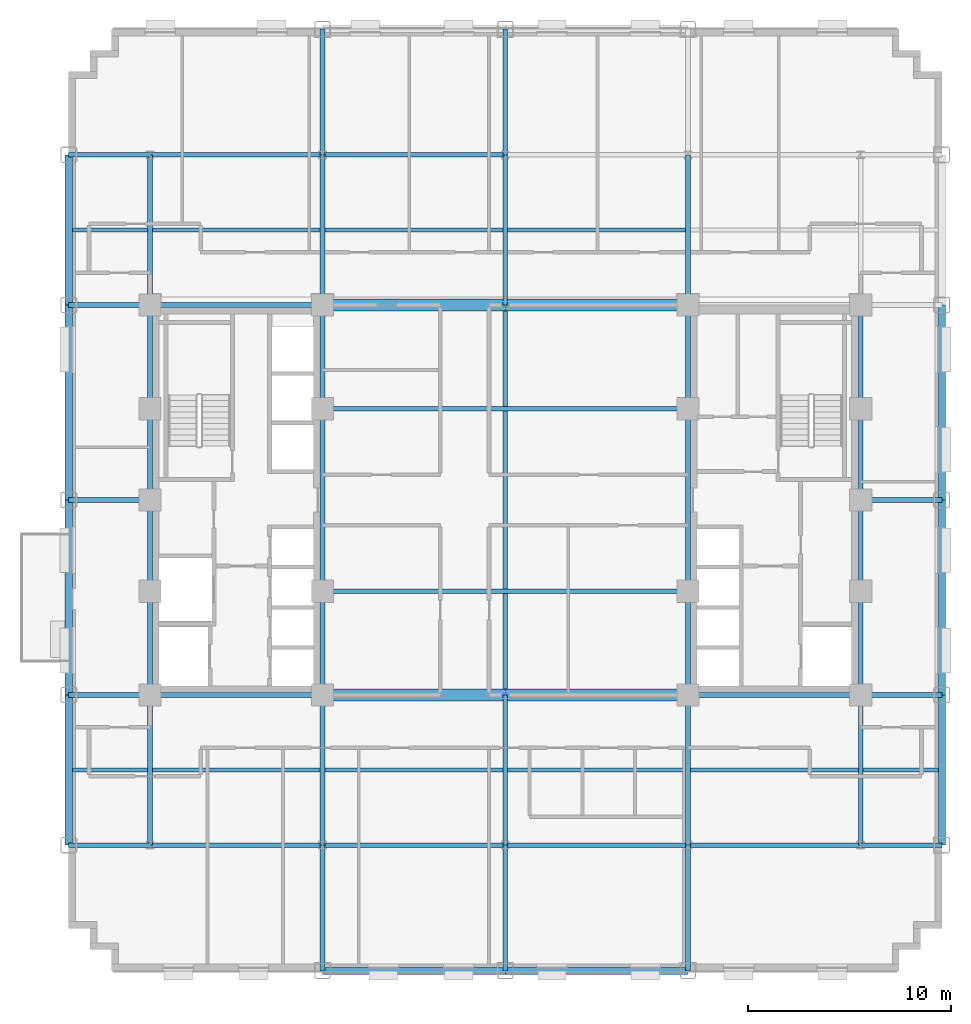
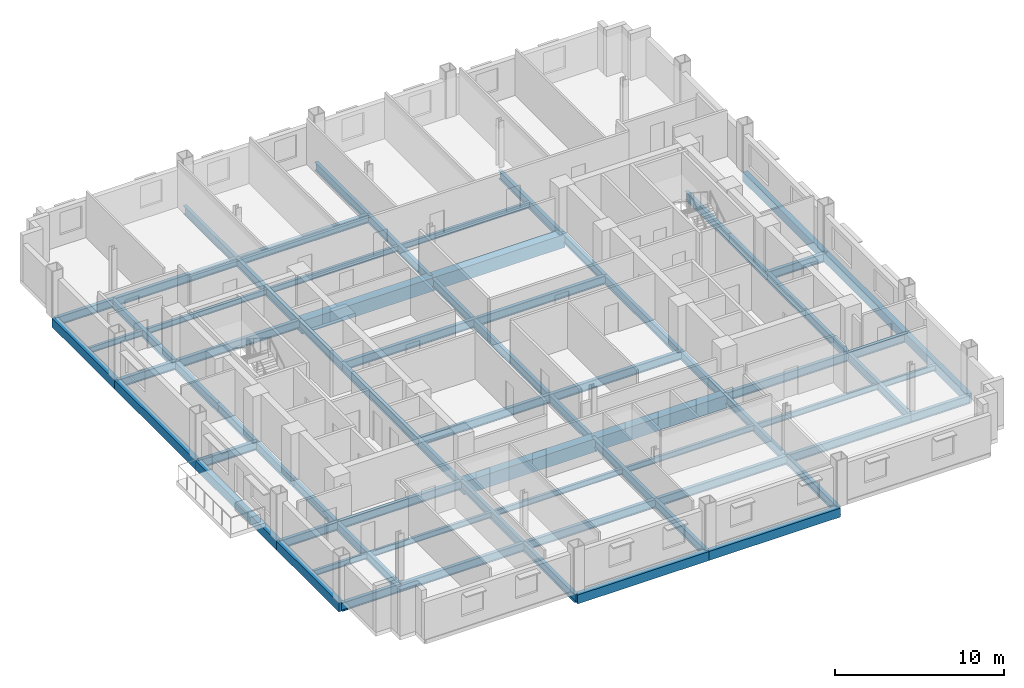
# One storey, part 4 of 14: 71 beams.
"""IFC4 building model written with IfcOpenShell, lengths in metres."""

from ifc_helpers import new_model, si_unit, direction, frame, origin, origin_2d, place, context, subcontext, project, spatial, rectangle, i_section, extrude, material, material_profile, profile_set, type_object, element, save


model = new_model("IFC4")

# Units and contexts
model_context = context("Model", 3, precision=1e-05, world=origin(), true_north=direction((0.0, 1.0)))
body_context = subcontext(model_context, "Body", "Model", "MODEL_VIEW")
ifc_project = project(units=[si_unit("LENGTHUNIT", "METRE"), si_unit("AREAUNIT", "SQUARE_METRE"), si_unit("VOLUMEUNIT", "CUBIC_METRE"), si_unit("PLANEANGLEUNIT", "RADIAN"), si_unit("MASSUNIT", "GRAM", prefix="KILO")], contexts=[model_context])

# Site, building, storey
site_placement = place(None, origin())
site = spatial("IfcSite", under=ifc_project, at=site_placement, CompositionType="ELEMENT")
building_placement = place(site_placement, origin())
building = spatial("IfcBuilding", under=site, at=building_placement, Name="Nuvemarco Arch Tower", CompositionType="ELEMENT")
storey_placement = place(building_placement, frame((0.0, 0.0, 67.75)))
storey = spatial("IfcBuildingStorey", under=building, at=storey_placement, Name="L17", CompositionType="ELEMENT", Elevation=67.75)

# Beams
ifc_material_1 = material(Name="Concrete C60/75", Category="concrete")
ifc_material_profile_1 = material_profile(ifc_material_1, rectangle(XDim=0.60009765625, YDim=0.949951171875, at=origin_2d()), Name="RC-BM-600x950")
ifc_profile_set_1 = profile_set([ifc_material_profile_1], Name="Concrete C60/75")
beam_type_1 = type_object("IfcBeamType", Name="BM-COUP-RC", PredefinedType="LINTEL", material=ifc_profile_set_1)
for number, where, z_axis, x_axis, name in (
    (1, (-9.0, -9.60009765625, -0.7548828125), (1.0, 0.0, 0.0), (0.0, 1.0, 0.0), "L17 structural beam BGEW_L17_0_-9.6_-9.0"),
    (2, (0.0, -9.60009765625, -0.7548828125), (1.0, 0.0, 0.0), (0.0, 1.0, 0.0), "L17 structural beam BGEW_L17_0_-9.6_+0.0"),
    (3, (-9.0, 9.60009765625, -0.7548828125), (1.0, 0.0, 0.0), (0.0, 1.0, 0.0), "L17 structural beam BGEW_L17_0_+9.6_-9.0"),
    (4, (0.0, 9.60009765625, -0.7548828125), (1.0, 0.0, 0.0), (0.0, 1.0, 0.0), "L17 structural beam BGEW_L17_0_+9.6_+0.0"),
):
    element("IfcBeam", number, at=place(storey_placement, frame(where, z_axis=z_axis, x_axis=x_axis)), inside=storey, type_object=beam_type_1, Name=name, PredefinedType="LINTEL", context=body_context, shape_type="SweptSolid", body=[
        extrude(rectangle(XDim=0.60009765625, YDim=0.949951171875, at=origin_2d()), origin(), (0.0, 0.0, 1.0), 9.0),
    ])
ifc_material_2 = material(Name="Steel S355", Category="steel")
ifc_material_profile_2 = material_profile(ifc_material_2, i_section(OverallWidth=0.22998046875, OverallDepth=0.616943359375, WebThickness=0.01318359375, FlangeThickness=0.022216796875, FilletRadius=0.01611328125, at=origin_2d()), Name="W610x140")
ifc_profile_set_2 = profile_set([ifc_material_profile_2], Name="Steel S355")
beam_type_2 = type_object("IfcBeamType", Name="BM-GIRD-610", PredefinedType="BEAM", material=ifc_profile_set_2)
beam_1_placement = place(storey_placement, frame((-17.5, -17.0, -0.58837890625), z_axis=(0.0, 1.0, 0.0), x_axis=(-1.0, 0.0, 0.0)))
element("IfcBeam", 5, at=beam_1_placement, inside=storey, type_object=beam_type_2, Name="L17 structural beam BGNS_L17_0_-17.5_-17.0", PredefinedType="BEAM", context=body_context, shape_type="SweptSolid", body=[
    extrude(i_section(OverallWidth=0.22998046875, OverallDepth=0.616943359375, WebThickness=0.01318359375, FlangeThickness=0.022216796875, FilletRadius=0.01611328125, at=origin_2d()), origin(), (0.0, 0.0, 1.0), 7.39990234375),
])
beam_2_placement = place(storey_placement, frame((-17.5, -9.60009765625, -0.58837890625), z_axis=(0.0, 1.0, 0.0), x_axis=(-1.0, 0.0, 0.0)))
element("IfcBeam", 6, at=beam_2_placement, inside=storey, type_object=beam_type_2, Name="L17 structural beam BGNS_L17_0_-17.5_-9.6", PredefinedType="BEAM", context=body_context, shape_type="SweptSolid", body=[
    extrude(i_section(OverallWidth=0.22998046875, OverallDepth=0.616943359375, WebThickness=0.01318359375, FlangeThickness=0.022216796875, FilletRadius=0.01611328125, at=origin_2d()), origin(), (0.0, 0.0, 1.0), 5.10009765625),
])
for number, where, z_axis, x_axis, name in (
    (7, (-17.5, -4.5, -0.58837890625), (0.0, 1.0, 0.0), (-1.0, 0.0, 0.0), "L17 structural beam BGNS_L17_0_-17.5_-4.5"),
    (8, (-17.5, 0.0, -0.58837890625), (0.0, 1.0, 0.0), (-1.0, 0.0, 0.0), "L17 structural beam BGNS_L17_0_-17.5_+0.0"),
):
    element("IfcBeam", number, at=place(storey_placement, frame(where, z_axis=z_axis, x_axis=x_axis)), inside=storey, type_object=beam_type_2, Name=name, PredefinedType="BEAM", context=body_context, shape_type="SweptSolid", body=[
        extrude(i_section(OverallWidth=0.22998046875, OverallDepth=0.616943359375, WebThickness=0.01318359375, FlangeThickness=0.022216796875, FilletRadius=0.01611328125, at=origin_2d()), origin(), (0.0, 0.0, 1.0), 4.5),
    ])
beam_3_placement = place(storey_placement, frame((-17.5, 4.5, -0.58837890625), z_axis=(0.0, 1.0, 0.0), x_axis=(-1.0, 0.0, 0.0)))
element("IfcBeam", 9, at=beam_3_placement, inside=storey, type_object=beam_type_2, Name="L17 structural beam BGNS_L17_0_-17.5_+4.5", PredefinedType="BEAM", context=body_context, shape_type="SweptSolid", body=[
    extrude(i_section(OverallWidth=0.22998046875, OverallDepth=0.616943359375, WebThickness=0.01318359375, FlangeThickness=0.022216796875, FilletRadius=0.01611328125, at=origin_2d()), origin(), (0.0, 0.0, 1.0), 5.10009765625),
])
beam_4_placement = place(storey_placement, frame((-17.5, 9.60009765625, -0.58837890625), z_axis=(0.0, 1.0, 0.0), x_axis=(-1.0, 0.0, 0.0)))
element("IfcBeam", 10, at=beam_4_placement, inside=storey, type_object=beam_type_2, Name="L17 structural beam BGNS_L17_0_-17.5_+9.6", PredefinedType="BEAM", context=body_context, shape_type="SweptSolid", body=[
    extrude(i_section(OverallWidth=0.22998046875, OverallDepth=0.616943359375, WebThickness=0.01318359375, FlangeThickness=0.022216796875, FilletRadius=0.01611328125, at=origin_2d()), origin(), (0.0, 0.0, 1.0), 7.39990234375),
])
beam_5_placement = place(storey_placement, frame((-9.0, -23.199951171875, -0.58837890625), z_axis=(0.0, 1.0, 0.0), x_axis=(-1.0, 0.0, 0.0)))
element("IfcBeam", 11, at=beam_5_placement, inside=storey, type_object=beam_type_2, Name="L17 structural beam BGNS_L17_0_-9.0_-23.2", PredefinedType="BEAM", context=body_context, shape_type="SweptSolid", body=[
    extrude(i_section(OverallWidth=0.22998046875, OverallDepth=0.616943359375, WebThickness=0.01318359375, FlangeThickness=0.022216796875, FilletRadius=0.01611328125, at=origin_2d()), origin(), (0.0, 0.0, 1.0), 6.199951171875),
])
beam_6_placement = place(storey_placement, frame((-9.0, -17.0, -0.58837890625), z_axis=(0.0, 1.0, 0.0), x_axis=(-1.0, 0.0, 0.0)))
element("IfcBeam", 12, at=beam_6_placement, inside=storey, type_object=beam_type_2, Name="L17 structural beam BGNS_L17_0_-9.0_-17.0", PredefinedType="BEAM", context=body_context, shape_type="SweptSolid", body=[
    extrude(i_section(OverallWidth=0.22998046875, OverallDepth=0.616943359375, WebThickness=0.01318359375, FlangeThickness=0.022216796875, FilletRadius=0.01611328125, at=origin_2d()), origin(), (0.0, 0.0, 1.0), 7.39990234375),
])
beam_7_placement = place(storey_placement, frame((-9.0, -9.60009765625, -0.58837890625), z_axis=(0.0, 1.0, 0.0), x_axis=(-1.0, 0.0, 0.0)))
element("IfcBeam", 13, at=beam_7_placement, inside=storey, type_object=beam_type_2, Name="L17 structural beam BGNS_L17_0_-9.0_-9.6", PredefinedType="BEAM", context=body_context, shape_type="SweptSolid", body=[
    extrude(i_section(OverallWidth=0.22998046875, OverallDepth=0.616943359375, WebThickness=0.01318359375, FlangeThickness=0.022216796875, FilletRadius=0.01611328125, at=origin_2d()), origin(), (0.0, 0.0, 1.0), 5.10009765625),
])
beam_8_placement = place(storey_placement, frame((-9.0, -4.5, -0.58837890625), z_axis=(0.0, 1.0, 0.0), x_axis=(-1.0, 0.0, 0.0)))
element("IfcBeam", 14, at=beam_8_placement, inside=storey, type_object=beam_type_2, Name="L17 structural beam BGNS_L17_0_-9.0_-4.5", PredefinedType="BEAM", context=body_context, shape_type="SweptSolid", body=[
    extrude(i_section(OverallWidth=0.22998046875, OverallDepth=0.616943359375, WebThickness=0.01318359375, FlangeThickness=0.022216796875, FilletRadius=0.01611328125, at=origin_2d()), origin(), (0.0, 0.0, 1.0), 9.0),
])
beam_9_placement = place(storey_placement, frame((-9.0, 4.5, -0.58837890625), z_axis=(0.0, 1.0, 0.0), x_axis=(-1.0, 0.0, 0.0)))
element("IfcBeam", 15, at=beam_9_placement, inside=storey, type_object=beam_type_2, Name="L17 structural beam BGNS_L17_0_-9.0_+4.5", PredefinedType="BEAM", context=body_context, shape_type="SweptSolid", body=[
    extrude(i_section(OverallWidth=0.22998046875, OverallDepth=0.616943359375, WebThickness=0.01318359375, FlangeThickness=0.022216796875, FilletRadius=0.01611328125, at=origin_2d()), origin(), (0.0, 0.0, 1.0), 5.10009765625),
])
beam_10_placement = place(storey_placement, frame((-9.0, 9.60009765625, -0.58837890625), z_axis=(0.0, 1.0, 0.0), x_axis=(-1.0, 0.0, 0.0)))
element("IfcBeam", 16, at=beam_10_placement, inside=storey, type_object=beam_type_2, Name="L17 structural beam BGNS_L17_0_-9.0_+9.6", PredefinedType="BEAM", context=body_context, shape_type="SweptSolid", body=[
    extrude(i_section(OverallWidth=0.22998046875, OverallDepth=0.616943359375, WebThickness=0.01318359375, FlangeThickness=0.022216796875, FilletRadius=0.01611328125, at=origin_2d()), origin(), (0.0, 0.0, 1.0), 7.39990234375),
])
for number, where, z_axis, x_axis, name in (
    (17, (-9.0, 17.0, -0.58837890625), (0.0, 1.0, 0.0), (-1.0, 0.0, 0.0), "L17 structural beam BGNS_L17_0_-9.0_+17.0"),
    (18, (0.0, -23.199951171875, -0.58837890625), (0.0, 1.0, 0.0), (-1.0, 0.0, 0.0), "L17 structural beam BGNS_L17_0_+0.0_-23.2"),
):
    element("IfcBeam", number, at=place(storey_placement, frame(where, z_axis=z_axis, x_axis=x_axis)), inside=storey, type_object=beam_type_2, Name=name, PredefinedType="BEAM", context=body_context, shape_type="SweptSolid", body=[
        extrude(i_section(OverallWidth=0.22998046875, OverallDepth=0.616943359375, WebThickness=0.01318359375, FlangeThickness=0.022216796875, FilletRadius=0.01611328125, at=origin_2d()), origin(), (0.0, 0.0, 1.0), 6.199951171875),
    ])
beam_11_placement = place(storey_placement, frame((0.0, -17.0, -0.58837890625), z_axis=(0.0, 1.0, 0.0), x_axis=(-1.0, 0.0, 0.0)))
element("IfcBeam", 19, at=beam_11_placement, inside=storey, type_object=beam_type_2, Name="L17 structural beam BGNS_L17_0_+0.0_-17.0", PredefinedType="BEAM", context=body_context, shape_type="SweptSolid", body=[
    extrude(i_section(OverallWidth=0.22998046875, OverallDepth=0.616943359375, WebThickness=0.01318359375, FlangeThickness=0.022216796875, FilletRadius=0.01611328125, at=origin_2d()), origin(), (0.0, 0.0, 1.0), 7.39990234375),
])
beam_12_placement = place(storey_placement, frame((0.0, -9.60009765625, -0.58837890625), z_axis=(0.0, 1.0, 0.0), x_axis=(-1.0, 0.0, 0.0)))
element("IfcBeam", 20, at=beam_12_placement, inside=storey, type_object=beam_type_2, Name="L17 structural beam BGNS_L17_0_+0.0_-9.6", PredefinedType="BEAM", context=body_context, shape_type="SweptSolid", body=[
    extrude(i_section(OverallWidth=0.22998046875, OverallDepth=0.616943359375, WebThickness=0.01318359375, FlangeThickness=0.022216796875, FilletRadius=0.01611328125, at=origin_2d()), origin(), (0.0, 0.0, 1.0), 19.2001953125),
])
beam_13_placement = place(storey_placement, frame((0.0, 9.60009765625, -0.58837890625), z_axis=(0.0, 1.0, 0.0), x_axis=(-1.0, 0.0, 0.0)))
element("IfcBeam", 21, at=beam_13_placement, inside=storey, type_object=beam_type_2, Name="L17 structural beam BGNS_L17_0_+0.0_+9.6", PredefinedType="BEAM", context=body_context, shape_type="SweptSolid", body=[
    extrude(i_section(OverallWidth=0.22998046875, OverallDepth=0.616943359375, WebThickness=0.01318359375, FlangeThickness=0.022216796875, FilletRadius=0.01611328125, at=origin_2d()), origin(), (0.0, 0.0, 1.0), 7.39990234375),
])
for number, where, z_axis, x_axis, name in (
    (22, (0.0, 17.0, -0.58837890625), (0.0, 1.0, 0.0), (-1.0, 0.0, 0.0), "L17 structural beam BGNS_L17_0_+0.0_+17.0"),
    (23, (9.0, -23.199951171875, -0.58837890625), (0.0, 1.0, 0.0), (-1.0, 0.0, 0.0), "L17 structural beam BGNS_L17_0_+9.0_-23.2"),
):
    element("IfcBeam", number, at=place(storey_placement, frame(where, z_axis=z_axis, x_axis=x_axis)), inside=storey, type_object=beam_type_2, Name=name, PredefinedType="BEAM", context=body_context, shape_type="SweptSolid", body=[
        extrude(i_section(OverallWidth=0.22998046875, OverallDepth=0.616943359375, WebThickness=0.01318359375, FlangeThickness=0.022216796875, FilletRadius=0.01611328125, at=origin_2d()), origin(), (0.0, 0.0, 1.0), 6.199951171875),
    ])
beam_14_placement = place(storey_placement, frame((9.0, -17.0, -0.58837890625), z_axis=(0.0, 1.0, 0.0), x_axis=(-1.0, 0.0, 0.0)))
element("IfcBeam", 24, at=beam_14_placement, inside=storey, type_object=beam_type_2, Name="L17 structural beam BGNS_L17_0_+9.0_-17.0", PredefinedType="BEAM", context=body_context, shape_type="SweptSolid", body=[
    extrude(i_section(OverallWidth=0.22998046875, OverallDepth=0.616943359375, WebThickness=0.01318359375, FlangeThickness=0.022216796875, FilletRadius=0.01611328125, at=origin_2d()), origin(), (0.0, 0.0, 1.0), 7.39990234375),
])
beam_15_placement = place(storey_placement, frame((9.0, -9.60009765625, -0.58837890625), z_axis=(0.0, 1.0, 0.0), x_axis=(-1.0, 0.0, 0.0)))
element("IfcBeam", 25, at=beam_15_placement, inside=storey, type_object=beam_type_2, Name="L17 structural beam BGNS_L17_0_+9.0_-9.6", PredefinedType="BEAM", context=body_context, shape_type="SweptSolid", body=[
    extrude(i_section(OverallWidth=0.22998046875, OverallDepth=0.616943359375, WebThickness=0.01318359375, FlangeThickness=0.022216796875, FilletRadius=0.01611328125, at=origin_2d()), origin(), (0.0, 0.0, 1.0), 5.10009765625),
])
beam_16_placement = place(storey_placement, frame((9.0, -4.5, -0.58837890625), z_axis=(0.0, 1.0, 0.0), x_axis=(-1.0, 0.0, 0.0)))
element("IfcBeam", 26, at=beam_16_placement, inside=storey, type_object=beam_type_2, Name="L17 structural beam BGNS_L17_0_+9.0_-4.5", PredefinedType="BEAM", context=body_context, shape_type="SweptSolid", body=[
    extrude(i_section(OverallWidth=0.22998046875, OverallDepth=0.616943359375, WebThickness=0.01318359375, FlangeThickness=0.022216796875, FilletRadius=0.01611328125, at=origin_2d()), origin(), (0.0, 0.0, 1.0), 9.0),
])
beam_17_placement = place(storey_placement, frame((9.0, 4.5, -0.58837890625), z_axis=(0.0, 1.0, 0.0), x_axis=(-1.0, 0.0, 0.0)))
element("IfcBeam", 27, at=beam_17_placement, inside=storey, type_object=beam_type_2, Name="L17 structural beam BGNS_L17_0_+9.0_+4.5", PredefinedType="BEAM", context=body_context, shape_type="SweptSolid", body=[
    extrude(i_section(OverallWidth=0.22998046875, OverallDepth=0.616943359375, WebThickness=0.01318359375, FlangeThickness=0.022216796875, FilletRadius=0.01611328125, at=origin_2d()), origin(), (0.0, 0.0, 1.0), 5.10009765625),
])
for number, where, z_axis, x_axis, name in (
    (28, (9.0, 9.60009765625, -0.58837890625), (0.0, 1.0, 0.0), (-1.0, 0.0, 0.0), "L17 structural beam BGNS_L17_0_+9.0_+9.6"),
    (29, (17.5, -17.0, -0.58837890625), (0.0, 1.0, 0.0), (-1.0, 0.0, 0.0), "L17 structural beam BGNS_L17_0_+17.5_-17.0"),
):
    element("IfcBeam", number, at=place(storey_placement, frame(where, z_axis=z_axis, x_axis=x_axis)), inside=storey, type_object=beam_type_2, Name=name, PredefinedType="BEAM", context=body_context, shape_type="SweptSolid", body=[
        extrude(i_section(OverallWidth=0.22998046875, OverallDepth=0.616943359375, WebThickness=0.01318359375, FlangeThickness=0.022216796875, FilletRadius=0.01611328125, at=origin_2d()), origin(), (0.0, 0.0, 1.0), 7.39990234375),
    ])
beam_18_placement = place(storey_placement, frame((17.5, -9.60009765625, -0.58837890625), z_axis=(0.0, 1.0, 0.0), x_axis=(-1.0, 0.0, 0.0)))
element("IfcBeam", 30, at=beam_18_placement, inside=storey, type_object=beam_type_2, Name="L17 structural beam BGNS_L17_0_+17.5_-9.6", PredefinedType="BEAM", context=body_context, shape_type="SweptSolid", body=[
    extrude(i_section(OverallWidth=0.22998046875, OverallDepth=0.616943359375, WebThickness=0.01318359375, FlangeThickness=0.022216796875, FilletRadius=0.01611328125, at=origin_2d()), origin(), (0.0, 0.0, 1.0), 5.10009765625),
])
for number, where, z_axis, x_axis, name in (
    (31, (17.5, -4.5, -0.58837890625), (0.0, 1.0, 0.0), (-1.0, 0.0, 0.0), "L17 structural beam BGNS_L17_0_+17.5_-4.5"),
    (32, (17.5, 0.0, -0.58837890625), (0.0, 1.0, 0.0), (-1.0, 0.0, 0.0), "L17 structural beam BGNS_L17_0_+17.5_+0.0"),
):
    element("IfcBeam", number, at=place(storey_placement, frame(where, z_axis=z_axis, x_axis=x_axis)), inside=storey, type_object=beam_type_2, Name=name, PredefinedType="BEAM", context=body_context, shape_type="SweptSolid", body=[
        extrude(i_section(OverallWidth=0.22998046875, OverallDepth=0.616943359375, WebThickness=0.01318359375, FlangeThickness=0.022216796875, FilletRadius=0.01611328125, at=origin_2d()), origin(), (0.0, 0.0, 1.0), 4.5),
    ])
beam_19_placement = place(storey_placement, frame((17.5, 4.5, -0.58837890625), z_axis=(0.0, 1.0, 0.0), x_axis=(-1.0, 0.0, 0.0)))
element("IfcBeam", 33, at=beam_19_placement, inside=storey, type_object=beam_type_2, Name="L17 structural beam BGNS_L17_0_+17.5_+4.5", PredefinedType="BEAM", context=body_context, shape_type="SweptSolid", body=[
    extrude(i_section(OverallWidth=0.22998046875, OverallDepth=0.616943359375, WebThickness=0.01318359375, FlangeThickness=0.022216796875, FilletRadius=0.01611328125, at=origin_2d()), origin(), (0.0, 0.0, 1.0), 5.10009765625),
])
beam_20_placement = place(storey_placement, frame((-21.5, -17.0, -0.58837890625), z_axis=(1.0, 0.0, 0.0), x_axis=(0.0, 1.0, 0.0)))
element("IfcBeam", 34, at=beam_20_placement, inside=storey, type_object=beam_type_2, Name="L17 structural beam BGEW_L17_0_-17.0_-21.5", PredefinedType="BEAM", context=body_context, shape_type="SweptSolid", body=[
    extrude(i_section(OverallWidth=0.22998046875, OverallDepth=0.616943359375, WebThickness=0.01318359375, FlangeThickness=0.022216796875, FilletRadius=0.01611328125, at=origin_2d()), origin(), (0.0, 0.0, 1.0), 4.0),
])
beam_21_placement = place(storey_placement, frame((-17.5, -17.0, -0.58837890625), z_axis=(1.0, 0.0, 0.0), x_axis=(0.0, 1.0, 0.0)))
element("IfcBeam", 35, at=beam_21_placement, inside=storey, type_object=beam_type_2, Name="L17 structural beam BGEW_L17_0_-17.0_-17.5", PredefinedType="BEAM", context=body_context, shape_type="SweptSolid", body=[
    extrude(i_section(OverallWidth=0.22998046875, OverallDepth=0.616943359375, WebThickness=0.01318359375, FlangeThickness=0.022216796875, FilletRadius=0.01611328125, at=origin_2d()), origin(), (0.0, 0.0, 1.0), 8.5),
])
for number, where, z_axis, x_axis, name in (
    (36, (-9.0, -17.0, -0.58837890625), (1.0, 0.0, 0.0), (0.0, 1.0, 0.0), "L17 structural beam BGEW_L17_0_-17.0_-9.0"),
    (37, (0.0, -17.0, -0.58837890625), (1.0, 0.0, 0.0), (0.0, 1.0, 0.0), "L17 structural beam BGEW_L17_0_-17.0_+0.0"),
):
    element("IfcBeam", number, at=place(storey_placement, frame(where, z_axis=z_axis, x_axis=x_axis)), inside=storey, type_object=beam_type_2, Name=name, PredefinedType="BEAM", context=body_context, shape_type="SweptSolid", body=[
        extrude(i_section(OverallWidth=0.22998046875, OverallDepth=0.616943359375, WebThickness=0.01318359375, FlangeThickness=0.022216796875, FilletRadius=0.01611328125, at=origin_2d()), origin(), (0.0, 0.0, 1.0), 9.0),
    ])
beam_22_placement = place(storey_placement, frame((9.0, -17.0, -0.58837890625), z_axis=(1.0, 0.0, 0.0), x_axis=(0.0, 1.0, 0.0)))
element("IfcBeam", 38, at=beam_22_placement, inside=storey, type_object=beam_type_2, Name="L17 structural beam BGEW_L17_0_-17.0_+9.0", PredefinedType="BEAM", context=body_context, shape_type="SweptSolid", body=[
    extrude(i_section(OverallWidth=0.22998046875, OverallDepth=0.616943359375, WebThickness=0.01318359375, FlangeThickness=0.022216796875, FilletRadius=0.01611328125, at=origin_2d()), origin(), (0.0, 0.0, 1.0), 8.5),
])
for number, where, z_axis, x_axis, name in (
    (39, (17.5, -17.0, -0.58837890625), (1.0, 0.0, 0.0), (0.0, 1.0, 0.0), "L17 structural beam BGEW_L17_0_-17.0_+17.5"),
    (40, (-21.5, -9.60009765625, -0.58837890625), (1.0, 0.0, 0.0), (0.0, 1.0, 0.0), "L17 structural beam BGEW_L17_0_-9.6_-21.5"),
):
    element("IfcBeam", number, at=place(storey_placement, frame(where, z_axis=z_axis, x_axis=x_axis)), inside=storey, type_object=beam_type_2, Name=name, PredefinedType="BEAM", context=body_context, shape_type="SweptSolid", body=[
        extrude(i_section(OverallWidth=0.22998046875, OverallDepth=0.616943359375, WebThickness=0.01318359375, FlangeThickness=0.022216796875, FilletRadius=0.01611328125, at=origin_2d()), origin(), (0.0, 0.0, 1.0), 4.0),
    ])
for number, where, z_axis, x_axis, name in (
    (41, (-17.5, -9.60009765625, -0.58837890625), (1.0, 0.0, 0.0), (0.0, 1.0, 0.0), "L17 structural beam BGEW_L17_0_-9.6_-17.5"),
    (42, (9.0, -9.60009765625, -0.58837890625), (1.0, 0.0, 0.0), (0.0, 1.0, 0.0), "L17 structural beam BGEW_L17_0_-9.6_+9.0"),
):
    element("IfcBeam", number, at=place(storey_placement, frame(where, z_axis=z_axis, x_axis=x_axis)), inside=storey, type_object=beam_type_2, Name=name, PredefinedType="BEAM", context=body_context, shape_type="SweptSolid", body=[
        extrude(i_section(OverallWidth=0.22998046875, OverallDepth=0.616943359375, WebThickness=0.01318359375, FlangeThickness=0.022216796875, FilletRadius=0.01611328125, at=origin_2d()), origin(), (0.0, 0.0, 1.0), 8.5),
    ])
beam_23_placement = place(storey_placement, frame((17.5, -9.60009765625, -0.58837890625), z_axis=(1.0, 0.0, 0.0), x_axis=(0.0, 1.0, 0.0)))
element("IfcBeam", 43, at=beam_23_placement, inside=storey, type_object=beam_type_2, Name="L17 structural beam BGEW_L17_0_-9.6_+17.5", PredefinedType="BEAM", context=body_context, shape_type="SweptSolid", body=[
    extrude(i_section(OverallWidth=0.22998046875, OverallDepth=0.616943359375, WebThickness=0.01318359375, FlangeThickness=0.022216796875, FilletRadius=0.01611328125, at=origin_2d()), origin(), (0.0, 0.0, 1.0), 4.0),
])
beam_24_placement = place(storey_placement, frame((-9.0, -4.5, -0.58837890625), z_axis=(1.0, 0.0, 0.0), x_axis=(0.0, 1.0, 0.0)))
element("IfcBeam", 44, at=beam_24_placement, inside=storey, type_object=beam_type_2, Name="L17 structural beam BGEW_L17_0_-4.5_-9.0", PredefinedType="BEAM", context=body_context, shape_type="SweptSolid", body=[
    extrude(i_section(OverallWidth=0.22998046875, OverallDepth=0.616943359375, WebThickness=0.01318359375, FlangeThickness=0.022216796875, FilletRadius=0.01611328125, at=origin_2d()), origin(), (0.0, 0.0, 1.0), 18.0),
])
for number, where, z_axis, x_axis, name in (
    (45, (-21.5, 0.0, -0.58837890625), (1.0, 0.0, 0.0), (0.0, 1.0, 0.0), "L17 structural beam BGEW_L17_0_+0.0_-21.5"),
    (46, (17.5, 0.0, -0.58837890625), (1.0, 0.0, 0.0), (0.0, 1.0, 0.0), "L17 structural beam BGEW_L17_0_+0.0_+17.5"),
):
    element("IfcBeam", number, at=place(storey_placement, frame(where, z_axis=z_axis, x_axis=x_axis)), inside=storey, type_object=beam_type_2, Name=name, PredefinedType="BEAM", context=body_context, shape_type="SweptSolid", body=[
        extrude(i_section(OverallWidth=0.22998046875, OverallDepth=0.616943359375, WebThickness=0.01318359375, FlangeThickness=0.022216796875, FilletRadius=0.01611328125, at=origin_2d()), origin(), (0.0, 0.0, 1.0), 4.0),
    ])
beam_25_placement = place(storey_placement, frame((-9.0, 4.5, -0.58837890625), z_axis=(1.0, 0.0, 0.0), x_axis=(0.0, 1.0, 0.0)))
element("IfcBeam", 47, at=beam_25_placement, inside=storey, type_object=beam_type_2, Name="L17 structural beam BGEW_L17_0_+4.5_-9.0", PredefinedType="BEAM", context=body_context, shape_type="SweptSolid", body=[
    extrude(i_section(OverallWidth=0.22998046875, OverallDepth=0.616943359375, WebThickness=0.01318359375, FlangeThickness=0.022216796875, FilletRadius=0.01611328125, at=origin_2d()), origin(), (0.0, 0.0, 1.0), 18.0),
])
beam_26_placement = place(storey_placement, frame((-21.5, 9.60009765625, -0.58837890625), z_axis=(1.0, 0.0, 0.0), x_axis=(0.0, 1.0, 0.0)))
element("IfcBeam", 48, at=beam_26_placement, inside=storey, type_object=beam_type_2, Name="L17 structural beam BGEW_L17_0_+9.6_-21.5", PredefinedType="BEAM", context=body_context, shape_type="SweptSolid", body=[
    extrude(i_section(OverallWidth=0.22998046875, OverallDepth=0.616943359375, WebThickness=0.01318359375, FlangeThickness=0.022216796875, FilletRadius=0.01611328125, at=origin_2d()), origin(), (0.0, 0.0, 1.0), 4.0),
])
beam_27_placement = place(storey_placement, frame((-17.5, 9.60009765625, -0.58837890625), z_axis=(1.0, 0.0, 0.0), x_axis=(0.0, 1.0, 0.0)))
element("IfcBeam", 49, at=beam_27_placement, inside=storey, type_object=beam_type_2, Name="L17 structural beam BGEW_L17_0_+9.6_-17.5", PredefinedType="BEAM", context=body_context, shape_type="SweptSolid", body=[
    extrude(i_section(OverallWidth=0.22998046875, OverallDepth=0.616943359375, WebThickness=0.01318359375, FlangeThickness=0.022216796875, FilletRadius=0.01611328125, at=origin_2d()), origin(), (0.0, 0.0, 1.0), 8.5),
])
beam_28_placement = place(storey_placement, frame((-21.5, 17.0, -0.58837890625), z_axis=(1.0, 0.0, 0.0), x_axis=(0.0, 1.0, 0.0)))
element("IfcBeam", 50, at=beam_28_placement, inside=storey, type_object=beam_type_2, Name="L17 structural beam BGEW_L17_0_+17.0_-21.5", PredefinedType="BEAM", context=body_context, shape_type="SweptSolid", body=[
    extrude(i_section(OverallWidth=0.22998046875, OverallDepth=0.616943359375, WebThickness=0.01318359375, FlangeThickness=0.022216796875, FilletRadius=0.01611328125, at=origin_2d()), origin(), (0.0, 0.0, 1.0), 4.0),
])
beam_29_placement = place(storey_placement, frame((-17.5, 17.0, -0.58837890625), z_axis=(1.0, 0.0, 0.0), x_axis=(0.0, 1.0, 0.0)))
element("IfcBeam", 51, at=beam_29_placement, inside=storey, type_object=beam_type_2, Name="L17 structural beam BGEW_L17_0_+17.0_-17.5", PredefinedType="BEAM", context=body_context, shape_type="SweptSolid", body=[
    extrude(i_section(OverallWidth=0.22998046875, OverallDepth=0.616943359375, WebThickness=0.01318359375, FlangeThickness=0.022216796875, FilletRadius=0.01611328125, at=origin_2d()), origin(), (0.0, 0.0, 1.0), 8.5),
])
beam_30_placement = place(storey_placement, frame((-9.0, 17.0, -0.58837890625), z_axis=(1.0, 0.0, 0.0), x_axis=(0.0, 1.0, 0.0)))
element("IfcBeam", 52, at=beam_30_placement, inside=storey, type_object=beam_type_2, Name="L17 structural beam BGEW_L17_0_+17.0_-9.0", PredefinedType="BEAM", context=body_context, shape_type="SweptSolid", body=[
    extrude(i_section(OverallWidth=0.22998046875, OverallDepth=0.616943359375, WebThickness=0.01318359375, FlangeThickness=0.022216796875, FilletRadius=0.01611328125, at=origin_2d()), origin(), (0.0, 0.0, 1.0), 9.0),
])
ifc_material_profile_3 = material_profile(ifc_material_2, i_section(OverallWidth=0.179931640625, OverallDepth=0.4130859375, WebThickness=0.009765625, FlangeThickness=0.01611328125, FilletRadius=0.014892578125, at=origin_2d()), Name="W410x75")
ifc_profile_set_3 = profile_set([ifc_material_profile_3], Name="Steel S355")
beam_type_3 = type_object("IfcBeamType", Name="BM-JOIST-410", PredefinedType="JOIST", material=ifc_profile_set_3)
beam_31_placement = place(storey_placement, frame((-21.324951171875, -13.300048828125, -0.486572265625), z_axis=(1.0, 0.0, 0.0), x_axis=(0.0, 1.0, 0.0)))
element("IfcBeam", 53, at=beam_31_placement, inside=storey, type_object=beam_type_3, Name="L17 structural beam BJ_L17_0_-13.3_-21.5", PredefinedType="JOIST", context=body_context, shape_type="SweptSolid", body=[
    extrude(i_section(OverallWidth=0.179931640625, OverallDepth=0.4130859375, WebThickness=0.009765625, FlangeThickness=0.01611328125, FilletRadius=0.014892578125, at=origin_2d()), origin(), (0.0, 0.0, 1.0), 3.7099609375),
])
beam_32_placement = place(storey_placement, frame((-17.385009765625, -13.300048828125, -0.486572265625), z_axis=(1.0, 0.0, 0.0), x_axis=(0.0, 1.0, 0.0)))
element("IfcBeam", 54, at=beam_32_placement, inside=storey, type_object=beam_type_3, Name="L17 structural beam BJ_L17_0_-13.3_-17.5", PredefinedType="JOIST", context=body_context, shape_type="SweptSolid", body=[
    extrude(i_section(OverallWidth=0.179931640625, OverallDepth=0.4130859375, WebThickness=0.009765625, FlangeThickness=0.01611328125, FilletRadius=0.014892578125, at=origin_2d()), origin(), (0.0, 0.0, 1.0), 8.27001953125),
])
for number, where, z_axis, x_axis, name in (
    (55, (-8.885009765625, -13.300048828125, -0.486572265625), (1.0, 0.0, 0.0), (0.0, 1.0, 0.0), "L17 structural beam BJ_L17_0_-13.3_-9.0"),
    (56, (0.114990234375, -13.300048828125, -0.486572265625), (1.0, 0.0, 0.0), (0.0, 1.0, 0.0), "L17 structural beam BJ_L17_0_-13.3_+0.0"),
):
    element("IfcBeam", number, at=place(storey_placement, frame(where, z_axis=z_axis, x_axis=x_axis)), inside=storey, type_object=beam_type_3, Name=name, PredefinedType="JOIST", context=body_context, shape_type="SweptSolid", body=[
        extrude(i_section(OverallWidth=0.179931640625, OverallDepth=0.4130859375, WebThickness=0.009765625, FlangeThickness=0.01611328125, FilletRadius=0.014892578125, at=origin_2d()), origin(), (0.0, 0.0, 1.0), 8.77001953125),
    ])
beam_33_placement = place(storey_placement, frame((9.114990234375, -13.300048828125, -0.486572265625), z_axis=(1.0, 0.0, 0.0), x_axis=(0.0, 1.0, 0.0)))
element("IfcBeam", 57, at=beam_33_placement, inside=storey, type_object=beam_type_3, Name="L17 structural beam BJ_L17_0_-13.3_+9.0", PredefinedType="JOIST", context=body_context, shape_type="SweptSolid", body=[
    extrude(i_section(OverallWidth=0.179931640625, OverallDepth=0.4130859375, WebThickness=0.009765625, FlangeThickness=0.01611328125, FilletRadius=0.014892578125, at=origin_2d()), origin(), (0.0, 0.0, 1.0), 8.27001953125),
])
for number, where, z_axis, x_axis, name in (
    (58, (17.614990234375, -13.300048828125, -0.486572265625), (1.0, 0.0, 0.0), (0.0, 1.0, 0.0), "L17 structural beam BJ_L17_0_-13.3_+17.5"),
    (59, (-21.324951171875, 13.300048828125, -0.486572265625), (1.0, 0.0, 0.0), (0.0, 1.0, 0.0), "L17 structural beam BJ_L17_0_+13.3_-21.5"),
):
    element("IfcBeam", number, at=place(storey_placement, frame(where, z_axis=z_axis, x_axis=x_axis)), inside=storey, type_object=beam_type_3, Name=name, PredefinedType="JOIST", context=body_context, shape_type="SweptSolid", body=[
        extrude(i_section(OverallWidth=0.179931640625, OverallDepth=0.4130859375, WebThickness=0.009765625, FlangeThickness=0.01611328125, FilletRadius=0.014892578125, at=origin_2d()), origin(), (0.0, 0.0, 1.0), 3.7099609375),
    ])
beam_34_placement = place(storey_placement, frame((-17.385009765625, 13.300048828125, -0.486572265625), z_axis=(1.0, 0.0, 0.0), x_axis=(0.0, 1.0, 0.0)))
element("IfcBeam", 60, at=beam_34_placement, inside=storey, type_object=beam_type_3, Name="L17 structural beam BJ_L17_0_+13.3_-17.5", PredefinedType="JOIST", context=body_context, shape_type="SweptSolid", body=[
    extrude(i_section(OverallWidth=0.179931640625, OverallDepth=0.4130859375, WebThickness=0.009765625, FlangeThickness=0.01611328125, FilletRadius=0.014892578125, at=origin_2d()), origin(), (0.0, 0.0, 1.0), 8.27001953125),
])
for number, where, z_axis, x_axis, name in (
    (61, (-8.885009765625, 13.300048828125, -0.486572265625), (1.0, 0.0, 0.0), (0.0, 1.0, 0.0), "L17 structural beam BJ_L17_0_+13.3_-9.0"),
    (62, (0.114990234375, 13.300048828125, -0.486572265625), (1.0, 0.0, 0.0), (0.0, 1.0, 0.0), "L17 structural beam BJ_L17_0_+13.3_+0.0"),
):
    element("IfcBeam", number, at=place(storey_placement, frame(where, z_axis=z_axis, x_axis=x_axis)), inside=storey, type_object=beam_type_3, Name=name, PredefinedType="JOIST", context=body_context, shape_type="SweptSolid", body=[
        extrude(i_section(OverallWidth=0.179931640625, OverallDepth=0.4130859375, WebThickness=0.009765625, FlangeThickness=0.01611328125, FilletRadius=0.014892578125, at=origin_2d()), origin(), (0.0, 0.0, 1.0), 8.77001953125),
    ])
ifc_material_3 = material(Name="Precast concrete C45/55", Category="concrete")
ifc_material_profile_4 = material_profile(ifc_material_3, rectangle(XDim=0.35009765625, YDim=0.64990234375, at=origin_2d()), Name="PC-SP-350x650")
ifc_profile_set_4 = profile_set([ifc_material_profile_4], Name="Precast concrete C45/55")
beam_type_4 = type_object("IfcBeamType", Name="BM-SPAN-RC", PredefinedType="SPANDREL", material=ifc_profile_set_4)
beam_35_placement = place(storey_placement, frame((-21.5, -17.0, -0.60498046875), z_axis=(0.0, 1.0, 0.0), x_axis=(-1.0, 0.0, 0.0)))
element("IfcBeam", 63, at=beam_35_placement, inside=storey, type_object=beam_type_4, Name="L17 structural beam BGNS_L17_0_-21.5_-17.0", PredefinedType="SPANDREL", context=body_context, shape_type="SweptSolid", body=[
    extrude(rectangle(XDim=0.35009765625, YDim=0.64990234375, at=origin_2d()), origin(), (0.0, 0.0, 1.0), 7.39990234375),
])
for number, where, z_axis, x_axis, name in (
    (64, (-21.5, -9.60009765625, -0.60498046875), (0.0, 1.0, 0.0), (-1.0, 0.0, 0.0), "L17 structural beam BGNS_L17_0_-21.5_-9.6"),
    (65, (-21.5, 0.0, -0.60498046875), (0.0, 1.0, 0.0), (-1.0, 0.0, 0.0), "L17 structural beam BGNS_L17_0_-21.5_+0.0"),
):
    element("IfcBeam", number, at=place(storey_placement, frame(where, z_axis=z_axis, x_axis=x_axis)), inside=storey, type_object=beam_type_4, Name=name, PredefinedType="SPANDREL", context=body_context, shape_type="SweptSolid", body=[
        extrude(rectangle(XDim=0.35009765625, YDim=0.64990234375, at=origin_2d()), origin(), (0.0, 0.0, 1.0), 9.60009765625),
    ])
for number, where, z_axis, x_axis, name in (
    (66, (-21.5, 9.60009765625, -0.60498046875), (0.0, 1.0, 0.0), (-1.0, 0.0, 0.0), "L17 structural beam BGNS_L17_0_-21.5_+9.6"),
    (67, (21.5, -17.0, -0.60498046875), (0.0, 1.0, 0.0), (-1.0, 0.0, 0.0), "L17 structural beam BGNS_L17_0_+21.5_-17.0"),
):
    element("IfcBeam", number, at=place(storey_placement, frame(where, z_axis=z_axis, x_axis=x_axis)), inside=storey, type_object=beam_type_4, Name=name, PredefinedType="SPANDREL", context=body_context, shape_type="SweptSolid", body=[
        extrude(rectangle(XDim=0.35009765625, YDim=0.64990234375, at=origin_2d()), origin(), (0.0, 0.0, 1.0), 7.39990234375),
    ])
for number, where, z_axis, x_axis, name in (
    (68, (21.5, -9.60009765625, -0.60498046875), (0.0, 1.0, 0.0), (-1.0, 0.0, 0.0), "L17 structural beam BGNS_L17_0_+21.5_-9.6"),
    (69, (21.5, 0.0, -0.60498046875), (0.0, 1.0, 0.0), (-1.0, 0.0, 0.0), "L17 structural beam BGNS_L17_0_+21.5_+0.0"),
):
    element("IfcBeam", number, at=place(storey_placement, frame(where, z_axis=z_axis, x_axis=x_axis)), inside=storey, type_object=beam_type_4, Name=name, PredefinedType="SPANDREL", context=body_context, shape_type="SweptSolid", body=[
        extrude(rectangle(XDim=0.35009765625, YDim=0.64990234375, at=origin_2d()), origin(), (0.0, 0.0, 1.0), 9.60009765625),
    ])
for number, where, z_axis, x_axis, name in (
    (70, (-9.0, -23.199951171875, -0.60498046875), (1.0, 0.0, 0.0), (0.0, 1.0, 0.0), "L17 structural beam BGEW_L17_0_-23.2_-9.0"),
    (71, (0.0, -23.199951171875, -0.60498046875), (1.0, 0.0, 0.0), (0.0, 1.0, 0.0), "L17 structural beam BGEW_L17_0_-23.2_+0.0"),
):
    element("IfcBeam", number, at=place(storey_placement, frame(where, z_axis=z_axis, x_axis=x_axis)), inside=storey, type_object=beam_type_4, Name=name, PredefinedType="SPANDREL", context=body_context, shape_type="SweptSolid", body=[
        extrude(rectangle(XDim=0.35009765625, YDim=0.64990234375, at=origin_2d()), origin(), (0.0, 0.0, 1.0), 9.0),
    ])

save(model, "model.ifc")
